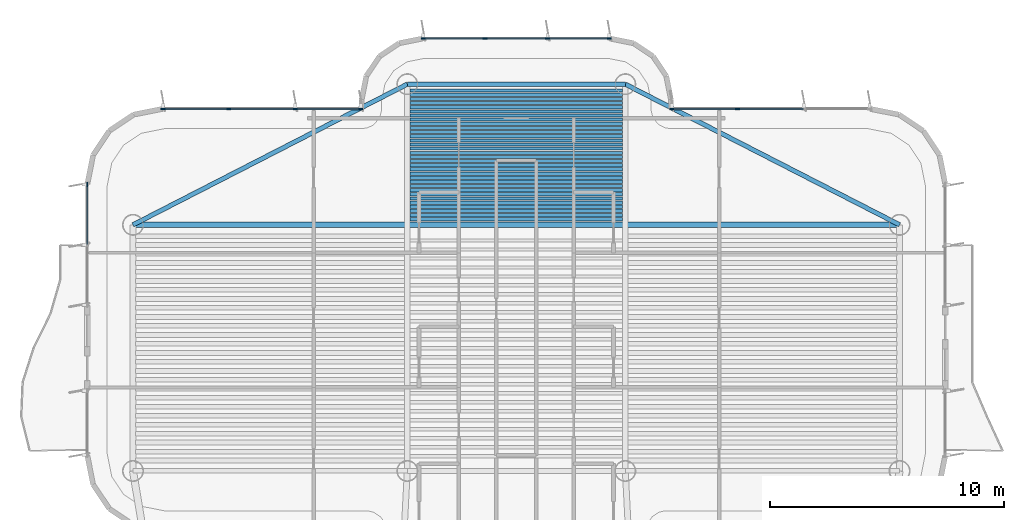
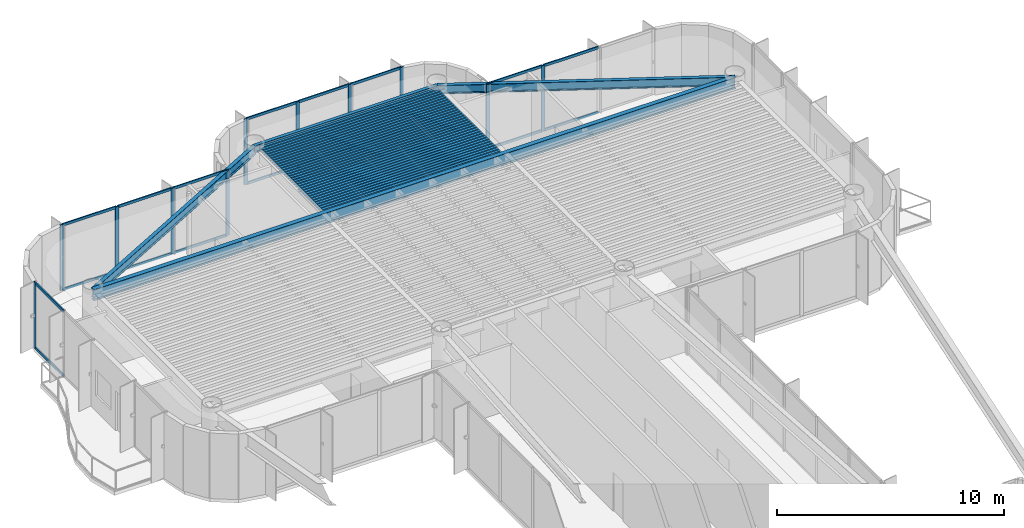
# One storey, part 7 of 16: 36 beams, 29 members, 4 elements without a shape of their own.
"""IFC4 building model written with IfcOpenShell, lengths in metres."""

from ifc_helpers import new_model, si_unit, direction, frame, origin, origin_2d, place, context, subcontext, project, spatial, rectangle, i_section, extrude, source, transform, mapped, material, layer, layer_set, material_profile, profile_set, type_object, element, aggregate, save


model = new_model("IFC4")

# Units and contexts
model_context = context("Model", 3, precision=1e-05, world=origin(), true_north=direction((0.0, 1.0)))
body_context = subcontext(model_context, "Body", "Model", "MODEL_VIEW")
ifc_project = project(units=[si_unit("LENGTHUNIT", "METRE"), si_unit("AREAUNIT", "SQUARE_METRE"), si_unit("VOLUMEUNIT", "CUBIC_METRE"), si_unit("PLANEANGLEUNIT", "RADIAN"), si_unit("MASSUNIT", "GRAM", prefix="KILO")], contexts=[model_context])

# Site, building, storey
site_placement = place(None, origin())
site = spatial("IfcSite", under=ifc_project, at=site_placement, CompositionType="ELEMENT")
building_placement = place(site_placement, origin())
building = spatial("IfcBuilding", under=site, at=building_placement, Name="Brelvock Crest Care Tower", CompositionType="ELEMENT")
storey_placement = place(building_placement, frame((0.0, 0.0, 238.139892578125)))
storey = spatial("IfcBuildingStorey", under=building, at=storey_placement, Name="L60", CompositionType="ELEMENT", Elevation=238.139892578125)

# Beams
ifc_material_1 = material(Name="Steel Grade 350", Category="steel")
ifc_material_profile_1 = material_profile(ifc_material_1, i_section(OverallWidth=0.177978515625, OverallDepth=0.406005859375, WebThickness=0.0078125, FlangeThickness=0.0126953125, FilletRadius=0.011474609375, at=origin_2d()), Name="410UB59.7")
ifc_profile_set_1 = profile_set([ifc_material_profile_1], Name="Steel Grade 350")
beam_type_1 = type_object("IfcBeamType", Name="BM-SP1", PredefinedType="SPANDREL", material=ifc_profile_set_1)
shared_shape_1 = source(origin(), body_context, "Body", "SweptSolid", [
    extrude(i_section(OverallWidth=0.177978515625, OverallDepth=0.406005859375, WebThickness=0.0078125, FlangeThickness=0.0126953125, FilletRadius=0.011474609375, at=origin_2d()), origin(), (0.0, 0.0, 1.0), 9.2998046875),
])
beam_1_placement = place(storey_placement, frame((31.35009765625, 60.449951171875, 3.3271484375), z_axis=(1.0, 0.0, 0.0), x_axis=(0.0, 1.0, 0.0)))
element("IfcBeam", 1, at=beam_1_placement, inside=storey, type_object=beam_type_1, Name="BM-TWR-L60-08", PredefinedType="SPANDREL", context=body_context, shape_type="MappedRepresentation", body=[
    mapped(shared_shape_1, transform((0.0, 0.0, 0.0), x_axis=(1.0, 0.0, 0.0), y_axis=(0.0, 1.0, 0.0), z_axis=(0.0, 0.0, 1.0), scale=1.0)),
])
ifc_material_profile_2 = material_profile(ifc_material_1, i_section(OverallWidth=0.14599609375, OverallDepth=0.256103515625, WebThickness=0.00634765625, FlangeThickness=0.010986328125, FilletRadius=0.0087890625, at=origin_2d()), Name="250UB37.3")
ifc_profile_set_2 = profile_set([ifc_material_profile_2], Name="Steel Grade 350")
beam_type_2 = type_object("IfcBeamType", Name="BM-J3", PredefinedType="JOIST", material=ifc_profile_set_2)
shared_shape_2 = source(origin(), body_context, "Body", "SweptSolid", [
    extrude(i_section(OverallWidth=0.14599609375, OverallDepth=0.256103515625, WebThickness=0.00634765625, FlangeThickness=0.010986328125, FilletRadius=0.0087890625, at=origin_2d()), origin(), (0.0, 0.0, 1.0), 9.06982421875),
])
for number, where, z_axis, x_axis, name in (
    (2, (31.465087890625, 54.68994140625, 3.402099609375), (1.0, 0.0, 0.0), (0.0, 1.0, 0.0), "BM-JN-L60-1"),
    (3, (31.465087890625, 54.866943359375, 3.402099609375), (1.0, 0.0, 0.0), (0.0, 1.0, 0.0), "BM-JN-L60-2"),
    (4, (31.465087890625, 55.0439453125, 3.402099609375), (1.0, 0.0, 0.0), (0.0, 1.0, 0.0), "BM-JN-L60-3"),
    (5, (31.465087890625, 55.220947265625, 3.402099609375), (1.0, 0.0, 0.0), (0.0, 1.0, 0.0), "BM-JN-L60-4"),
    (6, (31.465087890625, 55.39794921875, 3.402099609375), (1.0, 0.0, 0.0), (0.0, 1.0, 0.0), "BM-JN-L60-5"),
    (7, (31.465087890625, 55.574951171875, 3.402099609375), (1.0, 0.0, 0.0), (0.0, 1.0, 0.0), "BM-JN-L60-6"),
    (8, (31.465087890625, 55.751953125, 3.402099609375), (1.0, 0.0, 0.0), (0.0, 1.0, 0.0), "BM-JN-L60-7"),
    (9, (31.465087890625, 55.928955078125, 3.402099609375), (1.0, 0.0, 0.0), (0.0, 1.0, 0.0), "BM-JN-L60-8"),
    (10, (31.465087890625, 56.10595703125, 3.402099609375), (1.0, 0.0, 0.0), (0.0, 1.0, 0.0), "BM-JN-L60-9"),
    (11, (31.465087890625, 56.282958984375, 3.402099609375), (1.0, 0.0, 0.0), (0.0, 1.0, 0.0), "BM-JN-L60-10"),
    (12, (31.465087890625, 56.4599609375, 3.402099609375), (1.0, 0.0, 0.0), (0.0, 1.0, 0.0), "BM-JN-L60-11"),
    (13, (31.465087890625, 56.636962890625, 3.402099609375), (1.0, 0.0, 0.0), (0.0, 1.0, 0.0), "BM-JN-L60-12"),
    (14, (31.465087890625, 56.81396484375, 3.402099609375), (1.0, 0.0, 0.0), (0.0, 1.0, 0.0), "BM-JN-L60-13"),
):
    element("IfcBeam", number, at=place(storey_placement, frame(where, z_axis=z_axis, x_axis=x_axis)), inside=storey, type_object=beam_type_2, Name=name, PredefinedType="JOIST", context=body_context, shape_type="MappedRepresentation", body=[
        mapped(shared_shape_2, transform((0.0, 0.0, 0.0), x_axis=(1.0, 0.0, 0.0), y_axis=(0.0, 1.0, 0.0), z_axis=(0.0, 0.0, 1.0), scale=1.0)),
    ])
ifc_material_profile_3 = material_profile(ifc_material_1, i_section(OverallWidth=0.134033203125, OverallDepth=0.20703125, WebThickness=0.00634765625, FlangeThickness=0.009521484375, FilletRadius=0.0087890625, at=origin_2d()), Name="200UB29.8")
ifc_profile_set_3 = profile_set([ifc_material_profile_3], Name="Steel Grade 350")
beam_type_3 = type_object("IfcBeamType", Name="BM-J4", PredefinedType="JOIST", material=ifc_profile_set_3)
shared_shape_3 = source(origin(), body_context, "Body", "SweptSolid", [
    extrude(i_section(OverallWidth=0.134033203125, OverallDepth=0.20703125, WebThickness=0.00634765625, FlangeThickness=0.009521484375, FilletRadius=0.0087890625, at=origin_2d()), origin(), (0.0, 0.0, 1.0), 9.06982421875),
])
for number, where, z_axis, x_axis, name in (
    (15, (31.465087890625, 56.990966796875, 3.426513671875), (1.0, 0.0, 0.0), (0.0, 1.0, 0.0), "BM-JN-L60-14"),
    (16, (31.465087890625, 57.16796875, 3.426513671875), (1.0, 0.0, 0.0), (0.0, 1.0, 0.0), "BM-JN-L60-15"),
    (17, (31.465087890625, 57.344970703125, 3.426513671875), (1.0, 0.0, 0.0), (0.0, 1.0, 0.0), "BM-JN-L60-16"),
    (18, (31.465087890625, 57.52197265625, 3.426513671875), (1.0, 0.0, 0.0), (0.0, 1.0, 0.0), "BM-JN-L60-17"),
    (19, (31.465087890625, 57.698974609375, 3.426513671875), (1.0, 0.0, 0.0), (0.0, 1.0, 0.0), "BM-JN-L60-18"),
    (20, (31.465087890625, 57.8759765625, 3.426513671875), (1.0, 0.0, 0.0), (0.0, 1.0, 0.0), "BM-JN-L60-19"),
    (21, (31.465087890625, 58.052978515625, 3.426513671875), (1.0, 0.0, 0.0), (0.0, 1.0, 0.0), "BM-JN-L60-20"),
    (22, (31.465087890625, 58.22998046875, 3.426513671875), (1.0, 0.0, 0.0), (0.0, 1.0, 0.0), "BM-JN-L60-21"),
    (23, (31.465087890625, 58.406982421875, 3.426513671875), (1.0, 0.0, 0.0), (0.0, 1.0, 0.0), "BM-JN-L60-22"),
    (24, (31.465087890625, 58.583984375, 3.426513671875), (1.0, 0.0, 0.0), (0.0, 1.0, 0.0), "BM-JN-L60-23"),
    (25, (31.465087890625, 58.760986328125, 3.426513671875), (1.0, 0.0, 0.0), (0.0, 1.0, 0.0), "BM-JN-L60-24"),
    (26, (31.465087890625, 58.93798828125, 3.426513671875), (1.0, 0.0, 0.0), (0.0, 1.0, 0.0), "BM-JN-L60-25"),
    (27, (31.465087890625, 59.114990234375, 3.426513671875), (1.0, 0.0, 0.0), (0.0, 1.0, 0.0), "BM-JN-L60-26"),
    (28, (31.465087890625, 59.2919921875, 3.426513671875), (1.0, 0.0, 0.0), (0.0, 1.0, 0.0), "BM-JN-L60-27"),
    (29, (31.465087890625, 59.468994140625, 3.426513671875), (1.0, 0.0, 0.0), (0.0, 1.0, 0.0), "BM-JN-L60-28"),
    (30, (31.465087890625, 59.64599609375, 3.426513671875), (1.0, 0.0, 0.0), (0.0, 1.0, 0.0), "BM-JN-L60-29"),
    (31, (31.465087890625, 59.822998046875, 3.426513671875), (1.0, 0.0, 0.0), (0.0, 1.0, 0.0), "BM-JN-L60-30"),
    (32, (31.465087890625, 60.0, 3.426513671875), (1.0, 0.0, 0.0), (0.0, 1.0, 0.0), "BM-JN-L60-31"),
    (33, (31.465087890625, 60.177001953125, 3.426513671875), (1.0, 0.0, 0.0), (0.0, 1.0, 0.0), "BM-JN-L60-32"),
):
    element("IfcBeam", number, at=place(storey_placement, frame(where, z_axis=z_axis, x_axis=x_axis)), inside=storey, type_object=beam_type_3, Name=name, PredefinedType="JOIST", context=body_context, shape_type="MappedRepresentation", body=[
        mapped(shared_shape_3, transform((0.0, 0.0, 0.0), x_axis=(1.0, 0.0, 0.0), y_axis=(0.0, 1.0, 0.0), z_axis=(0.0, 0.0, 1.0), scale=1.0)),
    ])
ifc_material_profile_4 = material_profile(ifc_material_1, i_section(OverallWidth=0.19091796875, OverallDepth=0.4599609375, WebThickness=0.010009765625, FlangeThickness=0.01611328125, FilletRadius=0.011474609375, at=origin_2d()), Name="460UB82.1")
ifc_profile_set_4 = profile_set([ifc_material_profile_4], Name="Steel Grade 350")
beam_type_4 = type_object("IfcBeamType", Name="BM-SP2", PredefinedType="SPANDREL", material=ifc_profile_set_4)
shared_shape_4 = source(origin(), body_context, "Body", "SweptSolid", [
    extrude(i_section(OverallWidth=0.19091796875, OverallDepth=0.4599609375, WebThickness=0.010009765625, FlangeThickness=0.01611328125, FilletRadius=0.011474609375, at=origin_2d()), origin(), (0.0, 0.0, 1.0), 13.14892578125),
])
for number, where, z_axis, x_axis, name in (
    (34, (19.64990234375, 54.449951171875, 3.300048828125), (0.889820555736, 0.456310616346, 0.0), (-0.456310616346, 0.889820555736, 0.0), "BM-TWR-L60-06"),
    (35, (40.64990234375, 60.449951171875, 3.300048828125), (0.889820555736, -0.456310616346, 0.0), (0.456310616346, 0.889820555736, 0.0), "BM-TWR-L60-07"),
):
    element("IfcBeam", number, at=place(storey_placement, frame(where, z_axis=z_axis, x_axis=x_axis)), inside=storey, type_object=beam_type_4, Name=name, PredefinedType="SPANDREL", context=body_context, shape_type="MappedRepresentation", body=[
        mapped(shared_shape_4, transform((0.0, 0.0, 0.0), x_axis=(1.0, 0.0, 0.0), y_axis=(0.0, 1.0, 0.0), z_axis=(0.0, 0.0, 1.0), scale=1.0)),
    ])
ifc_material_profile_5 = material_profile(ifc_material_1, i_section(OverallWidth=0.22900390625, OverallDepth=0.612060546875, WebThickness=0.011962890625, FlangeThickness=0.01953125, FilletRadius=0.013916015625, at=origin_2d()), Name="610UB125")
ifc_profile_set_5 = profile_set([ifc_material_profile_5], Name="Steel Grade 350")
beam_type_5 = type_object("IfcBeamType", Name="BM-G1", PredefinedType="BEAM", material=ifc_profile_set_5)
shared_shape_5 = source(origin(), body_context, "Body", "SweptSolid", [
    extrude(i_section(OverallWidth=0.22900390625, OverallDepth=0.612060546875, WebThickness=0.011962890625, FlangeThickness=0.01953125, FilletRadius=0.013916015625, at=origin_2d()), origin(), (0.0, 0.0, 1.0), 32.7001953125),
])
beam_2_placement = place(storey_placement, frame((19.64990234375, 54.449951171875, 3.22412109375), z_axis=(1.0, 0.0, 0.0), x_axis=(0.0, 1.0, 0.0)))
element("IfcBeam", 36, at=beam_2_placement, inside=storey, type_object=beam_type_5, Name="BM-TWR-L60-11", PredefinedType="BEAM", context=body_context, shape_type="MappedRepresentation", body=[
    mapped(shared_shape_5, transform((0.0, 0.0, 0.0), x_axis=(1.0, 0.0, 0.0), y_axis=(0.0, 1.0, 0.0), z_axis=(0.0, 0.0, 1.0), scale=1.0)),
])

# Curtain wall, member
ifc_material_2 = material(Name="Dark Glass Double Glazed Low-E", Category="glass")
ifc_layer = layer(ifc_material_2, 0.239990234375, Name="CWS-5")
ifc_layer_set = layer_set([ifc_layer], Name="Dark Glass Double Glazed Low-E")
curtain_wall_type = type_object("IfcCurtainWallType", Name="CWS-5", PredefinedType="NOTDEFINED", material=ifc_layer_set)
curtain_wall_1_placement = place(storey_placement, origin())
curtain_wall_1 = element("IfcCurtainWall", 37, at=curtain_wall_1_placement, inside=storey, type_object=curtain_wall_type, Name="L60 Curtain Wall E17B", PredefinedType="NOTDEFINED")
ifc_material_3 = material(Name="Aluminium 6063-T6", Category="aluminium")
ifc_material_profile_6 = material_profile(ifc_material_3, rectangle(XDim=0.06005859375, YDim=0.179931640625, at=origin_2d()), Name="ALU60x180")
ifc_profile_set_6 = profile_set([ifc_material_profile_6], Name="Aluminium 6063-T6")
member_type_1 = type_object("IfcMemberType", Name="CWM-2", PredefinedType="MULLION", material=ifc_profile_set_6)
shared_shape_6 = source(origin(), body_context, "Body", "SweptSolid", [
    extrude(rectangle(XDim=0.06005859375, YDim=0.179931640625, at=origin_2d()), origin(), (0.0, 0.0, 1.0), 3.530029296875),
])
member_1_placement = place(storey_placement, frame((17.699951171875, 56.169921875, 0.0), z_axis=(0.0, 0.0, 1.0), x_axis=(-1.0, 0.0, 0.0)))
member_1 = element("IfcMember", 38, at=member_1_placement, type_object=member_type_1, Name="CW-5 mullion 3", PredefinedType="MULLION", context=body_context, shape_type="MappedRepresentation", body=[
    mapped(shared_shape_6, transform((0.0, 0.0, 0.0), x_axis=(1.0, 0.0, 0.0), y_axis=(0.0, 1.0, 0.0), z_axis=(0.0, 0.0, 1.0), scale=1.0)),
])

# Curtain wall, members
curtain_wall_2_placement = place(storey_placement, origin())
curtain_wall_2 = element("IfcCurtainWall", 39, at=curtain_wall_2_placement, inside=storey, type_object=curtain_wall_type, Name="L60 Curtain Wall E22", PredefinedType="NOTDEFINED")
member_2_placement = place(storey_placement, frame((20.929931640625, 59.39990234375, 0.0), z_axis=(0.0, 0.0, 1.0), x_axis=(0.0, 1.0, 0.0)))
member_2 = element("IfcMember", 40, at=member_2_placement, type_object=member_type_1, Name="CW-5 mullion 1", PredefinedType="MULLION", context=body_context, shape_type="MappedRepresentation", body=[
    mapped(shared_shape_6, transform((0.0, 0.0, 0.0), x_axis=(1.0, 0.0, 0.0), y_axis=(0.0, 1.0, 0.0), z_axis=(0.0, 0.0, 1.0), scale=1.0)),
])
member_3_placement = place(storey_placement, frame((23.7333984375, 59.39990234375, 0.0), z_axis=(0.0, 0.0, 1.0), x_axis=(0.0, 1.0, 0.0)))
member_3 = element("IfcMember", 41, at=member_3_placement, type_object=member_type_1, Name="CW-5 mullion 2", PredefinedType="MULLION", context=body_context, shape_type="MappedRepresentation", body=[
    mapped(shared_shape_6, transform((0.0, 0.0, 0.0), x_axis=(1.0, 0.0, 0.0), y_axis=(0.0, 1.0, 0.0), z_axis=(0.0, 0.0, 1.0), scale=1.0)),
])
member_4_placement = place(storey_placement, frame((26.566650390625, 59.39990234375, 0.0), z_axis=(0.0, 0.0, 1.0), x_axis=(0.0, 1.0, 0.0)))
member_4 = element("IfcMember", 42, at=member_4_placement, type_object=member_type_1, Name="CW-5 mullion 3", PredefinedType="MULLION", context=body_context, shape_type="MappedRepresentation", body=[
    mapped(shared_shape_6, transform((0.0, 0.0, 0.0), x_axis=(1.0, 0.0, 0.0), y_axis=(0.0, 1.0, 0.0), z_axis=(0.0, 0.0, 1.0), scale=1.0)),
])
member_5_placement = place(storey_placement, frame((29.3701171875, 59.39990234375, 0.0), z_axis=(0.0, 0.0, 1.0), x_axis=(0.0, 1.0, 0.0)))
member_5 = element("IfcMember", 43, at=member_5_placement, type_object=member_type_1, Name="CW-5 mullion 4", PredefinedType="MULLION", context=body_context, shape_type="MappedRepresentation", body=[
    mapped(shared_shape_6, transform((0.0, 0.0, 0.0), x_axis=(1.0, 0.0, 0.0), y_axis=(0.0, 1.0, 0.0), z_axis=(0.0, 0.0, 1.0), scale=1.0)),
])

curtain_wall_3_placement = place(storey_placement, origin())
curtain_wall_3 = element("IfcCurtainWall", 44, at=curtain_wall_3_placement, inside=storey, type_object=curtain_wall_type, Name="L60 Curtain Wall E28", PredefinedType="NOTDEFINED")
member_6_placement = place(storey_placement, frame((32.030029296875, 62.39990234375, 0.0), z_axis=(0.0, 0.0, 1.0), x_axis=(0.0, 1.0, 0.0)))
member_6 = element("IfcMember", 45, at=member_6_placement, type_object=member_type_1, Name="CW-5 mullion 1", PredefinedType="MULLION", context=body_context, shape_type="MappedRepresentation", body=[
    mapped(shared_shape_6, transform((0.0, 0.0, 0.0), x_axis=(1.0, 0.0, 0.0), y_axis=(0.0, 1.0, 0.0), z_axis=(0.0, 0.0, 1.0), scale=1.0)),
])
member_7_placement = place(storey_placement, frame((34.666748046875, 62.39990234375, 0.0), z_axis=(0.0, 0.0, 1.0), x_axis=(0.0, 1.0, 0.0)))
member_7 = element("IfcMember", 46, at=member_7_placement, type_object=member_type_1, Name="CW-5 mullion 2", PredefinedType="MULLION", context=body_context, shape_type="MappedRepresentation", body=[
    mapped(shared_shape_6, transform((0.0, 0.0, 0.0), x_axis=(1.0, 0.0, 0.0), y_axis=(0.0, 1.0, 0.0), z_axis=(0.0, 0.0, 1.0), scale=1.0)),
])
member_8_placement = place(storey_placement, frame((37.333251953125, 62.39990234375, 0.0), z_axis=(0.0, 0.0, 1.0), x_axis=(0.0, 1.0, 0.0)))
member_8 = element("IfcMember", 47, at=member_8_placement, type_object=member_type_1, Name="CW-5 mullion 3", PredefinedType="MULLION", context=body_context, shape_type="MappedRepresentation", body=[
    mapped(shared_shape_6, transform((0.0, 0.0, 0.0), x_axis=(1.0, 0.0, 0.0), y_axis=(0.0, 1.0, 0.0), z_axis=(0.0, 0.0, 1.0), scale=1.0)),
])
member_9_placement = place(storey_placement, frame((39.969970703125, 62.39990234375, 0.0), z_axis=(0.0, 0.0, 1.0), x_axis=(0.0, 1.0, 0.0)))
member_9 = element("IfcMember", 48, at=member_9_placement, type_object=member_type_1, Name="CW-5 mullion 4", PredefinedType="MULLION", context=body_context, shape_type="MappedRepresentation", body=[
    mapped(shared_shape_6, transform((0.0, 0.0, 0.0), x_axis=(1.0, 0.0, 0.0), y_axis=(0.0, 1.0, 0.0), z_axis=(0.0, 0.0, 1.0), scale=1.0)),
])

curtain_wall_4_placement = place(storey_placement, origin())
curtain_wall_4 = element("IfcCurtainWall", 49, at=curtain_wall_4_placement, inside=storey, type_object=curtain_wall_type, Name="L60 Curtain Wall E34", PredefinedType="NOTDEFINED")
member_10_placement = place(storey_placement, frame((42.6298828125, 59.39990234375, 0.0), z_axis=(0.0, 0.0, 1.0), x_axis=(0.0, 1.0, 0.0)))
member_10 = element("IfcMember", 50, at=member_10_placement, type_object=member_type_1, Name="CW-5 mullion 1", PredefinedType="MULLION", context=body_context, shape_type="MappedRepresentation", body=[
    mapped(shared_shape_6, transform((0.0, 0.0, 0.0), x_axis=(1.0, 0.0, 0.0), y_axis=(0.0, 1.0, 0.0), z_axis=(0.0, 0.0, 1.0), scale=1.0)),
])
member_11_placement = place(storey_placement, frame((45.433349609375, 59.39990234375, 0.0), z_axis=(0.0, 0.0, 1.0), x_axis=(0.0, 1.0, 0.0)))
member_11 = element("IfcMember", 51, at=member_11_placement, type_object=member_type_1, Name="CW-5 mullion 2", PredefinedType="MULLION", context=body_context, shape_type="MappedRepresentation", body=[
    mapped(shared_shape_6, transform((0.0, 0.0, 0.0), x_axis=(1.0, 0.0, 0.0), y_axis=(0.0, 1.0, 0.0), z_axis=(0.0, 0.0, 1.0), scale=1.0)),
])

# Member
ifc_material_profile_7 = material_profile(ifc_material_3, rectangle(XDim=0.06005859375, YDim=0.139892578125, at=origin_2d()), Name="ALU60x140")
ifc_profile_set_7 = profile_set([ifc_material_profile_7], Name="Aluminium 6063-T6")
member_type_2 = type_object("IfcMemberType", Name="CWT-2", PredefinedType="USERDEFINED", material=ifc_profile_set_7)
shared_shape_7 = source(origin(), body_context, "Body", "SweptSolid", [
    extrude(rectangle(XDim=0.06005859375, YDim=0.139892578125, at=origin_2d()), origin(), (0.0, 0.0, 1.0), 2.57666015625),
])
member_12_placement = place(storey_placement, frame((32.06005859375, 62.39990234375, 0.030029296875), z_axis=(1.0, 0.0, 0.0), x_axis=(0.0, 1.0, 0.0)))
member_12 = element("IfcMember", 52, at=member_12_placement, type_object=member_type_2, Name="CW-5 transom 1.1", ObjectType="TRANSOM", PredefinedType="USERDEFINED", context=body_context, shape_type="MappedRepresentation", body=[
    mapped(shared_shape_7, transform((0.0, 0.0, 0.0), x_axis=(1.0, 0.0, 0.0), y_axis=(0.0, 1.0, 0.0), z_axis=(0.0, 0.0, 1.0), scale=1.0)),
])

member_13_placement = place(storey_placement, frame((32.06005859375, 62.39990234375, 3.5), z_axis=(1.0, 0.0, 0.0), x_axis=(0.0, 1.0, 0.0)))
member_13 = element("IfcMember", 53, at=member_13_placement, type_object=member_type_2, Name="CW-5 transom 1.2", ObjectType="TRANSOM", PredefinedType="USERDEFINED", context=body_context, shape_type="MappedRepresentation", body=[
    mapped(shared_shape_7, transform((0.0, 0.0, 0.0), x_axis=(1.0, 0.0, 0.0), y_axis=(0.0, 1.0, 0.0), z_axis=(0.0, 0.0, 1.0), scale=1.0)),
])

member_14_placement = place(storey_placement, frame((37.36328125, 62.39990234375, 0.030029296875), z_axis=(1.0, 0.0, 0.0), x_axis=(0.0, 1.0, 0.0)))
member_14 = element("IfcMember", 54, at=member_14_placement, type_object=member_type_2, Name="CW-5 transom 3.1", ObjectType="TRANSOM", PredefinedType="USERDEFINED", context=body_context, shape_type="MappedRepresentation", body=[
    mapped(shared_shape_7, transform((0.0, 0.0, 0.0), x_axis=(1.0, 0.0, 0.0), y_axis=(0.0, 1.0, 0.0), z_axis=(0.0, 0.0, 1.0), scale=1.0)),
])

member_15_placement = place(storey_placement, frame((37.36328125, 62.39990234375, 3.5), z_axis=(1.0, 0.0, 0.0), x_axis=(0.0, 1.0, 0.0)))
member_15 = element("IfcMember", 55, at=member_15_placement, type_object=member_type_2, Name="CW-5 transom 3.2", ObjectType="TRANSOM", PredefinedType="USERDEFINED", context=body_context, shape_type="MappedRepresentation", body=[
    mapped(shared_shape_7, transform((0.0, 0.0, 0.0), x_axis=(1.0, 0.0, 0.0), y_axis=(0.0, 1.0, 0.0), z_axis=(0.0, 0.0, 1.0), scale=1.0)),
])

shared_shape_8 = source(origin(), body_context, "Body", "SweptSolid", [
    extrude(rectangle(XDim=0.06005859375, YDim=0.139892578125, at=origin_2d()), origin(), (0.0, 0.0, 1.0), 2.510009765625),
])
member_16_placement = place(storey_placement, frame((17.699951171875, 53.6298828125, 0.030029296875), z_axis=(0.0, 1.0, 0.0), x_axis=(-1.0, 0.0, 0.0)))
member_16 = element("IfcMember", 56, at=member_16_placement, type_object=member_type_2, Name="CW-5 transom 2.1", ObjectType="TRANSOM", PredefinedType="USERDEFINED", context=body_context, shape_type="MappedRepresentation", body=[
    mapped(shared_shape_8, transform((0.0, 0.0, 0.0), x_axis=(1.0, 0.0, 0.0), y_axis=(0.0, 1.0, 0.0), z_axis=(0.0, 0.0, 1.0), scale=1.0)),
])

member_17_placement = place(storey_placement, frame((17.699951171875, 53.6298828125, 3.5), z_axis=(0.0, 1.0, 0.0), x_axis=(-1.0, 0.0, 0.0)))
member_17 = element("IfcMember", 57, at=member_17_placement, type_object=member_type_2, Name="CW-5 transom 2.2", ObjectType="TRANSOM", PredefinedType="USERDEFINED", context=body_context, shape_type="MappedRepresentation", body=[
    mapped(shared_shape_8, transform((0.0, 0.0, 0.0), x_axis=(1.0, 0.0, 0.0), y_axis=(0.0, 1.0, 0.0), z_axis=(0.0, 0.0, 1.0), scale=1.0)),
])

aggregate(curtain_wall_1, [member_1, member_16, member_17])

shared_shape_9 = source(origin(), body_context, "Body", "SweptSolid", [
    extrude(rectangle(XDim=0.06005859375, YDim=0.139892578125, at=origin_2d()), origin(), (0.0, 0.0, 1.0), 2.743408203125),
])
member_18_placement = place(storey_placement, frame((20.9599609375, 59.39990234375, 0.030029296875), z_axis=(1.0, 0.0, 0.0), x_axis=(0.0, 1.0, 0.0)))
member_18 = element("IfcMember", 58, at=member_18_placement, type_object=member_type_2, Name="CW-5 transom 1.1", ObjectType="TRANSOM", PredefinedType="USERDEFINED", context=body_context, shape_type="MappedRepresentation", body=[
    mapped(shared_shape_9, transform((0.0, 0.0, 0.0), x_axis=(1.0, 0.0, 0.0), y_axis=(0.0, 1.0, 0.0), z_axis=(0.0, 0.0, 1.0), scale=1.0)),
])

member_19_placement = place(storey_placement, frame((20.9599609375, 59.39990234375, 3.5), z_axis=(1.0, 0.0, 0.0), x_axis=(0.0, 1.0, 0.0)))
member_19 = element("IfcMember", 59, at=member_19_placement, type_object=member_type_2, Name="CW-5 transom 1.2", ObjectType="TRANSOM", PredefinedType="USERDEFINED", context=body_context, shape_type="MappedRepresentation", body=[
    mapped(shared_shape_9, transform((0.0, 0.0, 0.0), x_axis=(1.0, 0.0, 0.0), y_axis=(0.0, 1.0, 0.0), z_axis=(0.0, 0.0, 1.0), scale=1.0)),
])

member_20_placement = place(storey_placement, frame((26.5966796875, 59.39990234375, 0.030029296875), z_axis=(1.0, 0.0, 0.0), x_axis=(0.0, 1.0, 0.0)))
member_20 = element("IfcMember", 60, at=member_20_placement, type_object=member_type_2, Name="CW-5 transom 3.1", ObjectType="TRANSOM", PredefinedType="USERDEFINED", context=body_context, shape_type="MappedRepresentation", body=[
    mapped(shared_shape_9, transform((0.0, 0.0, 0.0), x_axis=(1.0, 0.0, 0.0), y_axis=(0.0, 1.0, 0.0), z_axis=(0.0, 0.0, 1.0), scale=1.0)),
])

member_21_placement = place(storey_placement, frame((26.5966796875, 59.39990234375, 3.5), z_axis=(1.0, 0.0, 0.0), x_axis=(0.0, 1.0, 0.0)))
member_21 = element("IfcMember", 61, at=member_21_placement, type_object=member_type_2, Name="CW-5 transom 3.2", ObjectType="TRANSOM", PredefinedType="USERDEFINED", context=body_context, shape_type="MappedRepresentation", body=[
    mapped(shared_shape_9, transform((0.0, 0.0, 0.0), x_axis=(1.0, 0.0, 0.0), y_axis=(0.0, 1.0, 0.0), z_axis=(0.0, 0.0, 1.0), scale=1.0)),
])

member_22_placement = place(storey_placement, frame((42.659912109375, 59.39990234375, 0.030029296875), z_axis=(1.0, 0.0, 0.0), x_axis=(0.0, 1.0, 0.0)))
member_22 = element("IfcMember", 62, at=member_22_placement, type_object=member_type_2, Name="CW-5 transom 1.1", ObjectType="TRANSOM", PredefinedType="USERDEFINED", context=body_context, shape_type="MappedRepresentation", body=[
    mapped(shared_shape_9, transform((0.0, 0.0, 0.0), x_axis=(1.0, 0.0, 0.0), y_axis=(0.0, 1.0, 0.0), z_axis=(0.0, 0.0, 1.0), scale=1.0)),
])

member_23_placement = place(storey_placement, frame((42.659912109375, 59.39990234375, 3.5), z_axis=(1.0, 0.0, 0.0), x_axis=(0.0, 1.0, 0.0)))
member_23 = element("IfcMember", 63, at=member_23_placement, type_object=member_type_2, Name="CW-5 transom 1.2", ObjectType="TRANSOM", PredefinedType="USERDEFINED", context=body_context, shape_type="MappedRepresentation", body=[
    mapped(shared_shape_9, transform((0.0, 0.0, 0.0), x_axis=(1.0, 0.0, 0.0), y_axis=(0.0, 1.0, 0.0), z_axis=(0.0, 0.0, 1.0), scale=1.0)),
])

shared_shape_10 = source(origin(), body_context, "Body", "SweptSolid", [
    extrude(rectangle(XDim=0.06005859375, YDim=0.139892578125, at=origin_2d()), origin(), (0.0, 0.0, 1.0), 2.773193359375),
])
member_24_placement = place(storey_placement, frame((23.763427734375, 59.39990234375, 0.030029296875), z_axis=(1.0, 0.0, 0.0), x_axis=(0.0, 1.0, 0.0)))
member_24 = element("IfcMember", 64, at=member_24_placement, type_object=member_type_2, Name="CW-5 transom 2.1", ObjectType="TRANSOM", PredefinedType="USERDEFINED", context=body_context, shape_type="MappedRepresentation", body=[
    mapped(shared_shape_10, transform((0.0, 0.0, 0.0), x_axis=(1.0, 0.0, 0.0), y_axis=(0.0, 1.0, 0.0), z_axis=(0.0, 0.0, 1.0), scale=1.0)),
])

member_25_placement = place(storey_placement, frame((23.763427734375, 59.39990234375, 3.5), z_axis=(1.0, 0.0, 0.0), x_axis=(0.0, 1.0, 0.0)))
member_25 = element("IfcMember", 65, at=member_25_placement, type_object=member_type_2, Name="CW-5 transom 2.2", ObjectType="TRANSOM", PredefinedType="USERDEFINED", context=body_context, shape_type="MappedRepresentation", body=[
    mapped(shared_shape_10, transform((0.0, 0.0, 0.0), x_axis=(1.0, 0.0, 0.0), y_axis=(0.0, 1.0, 0.0), z_axis=(0.0, 0.0, 1.0), scale=1.0)),
])

aggregate(curtain_wall_2, [member_2, member_3, member_4, member_5, member_18, member_19, member_24, member_25, member_20, member_21])

member_26_placement = place(storey_placement, frame((45.46337890625, 59.39990234375, 0.030029296875), z_axis=(1.0, 0.0, 0.0), x_axis=(0.0, 1.0, 0.0)))
member_26 = element("IfcMember", 66, at=member_26_placement, type_object=member_type_2, Name="CW-5 transom 2.1", ObjectType="TRANSOM", PredefinedType="USERDEFINED", context=body_context, shape_type="MappedRepresentation", body=[
    mapped(shared_shape_10, transform((0.0, 0.0, 0.0), x_axis=(1.0, 0.0, 0.0), y_axis=(0.0, 1.0, 0.0), z_axis=(0.0, 0.0, 1.0), scale=1.0)),
])

member_27_placement = place(storey_placement, frame((45.46337890625, 59.39990234375, 3.5), z_axis=(1.0, 0.0, 0.0), x_axis=(0.0, 1.0, 0.0)))
member_27 = element("IfcMember", 67, at=member_27_placement, type_object=member_type_2, Name="CW-5 transom 2.2", ObjectType="TRANSOM", PredefinedType="USERDEFINED", context=body_context, shape_type="MappedRepresentation", body=[
    mapped(shared_shape_10, transform((0.0, 0.0, 0.0), x_axis=(1.0, 0.0, 0.0), y_axis=(0.0, 1.0, 0.0), z_axis=(0.0, 0.0, 1.0), scale=1.0)),
])

aggregate(curtain_wall_4, [member_10, member_11, member_22, member_23, member_26, member_27])

shared_shape_11 = source(origin(), body_context, "Body", "SweptSolid", [
    extrude(rectangle(XDim=0.06005859375, YDim=0.139892578125, at=origin_2d()), origin(), (0.0, 0.0, 1.0), 2.6064453125),
])
member_28_placement = place(storey_placement, frame((34.69677734375, 62.39990234375, 0.030029296875), z_axis=(1.0, 0.0, 0.0), x_axis=(0.0, 1.0, 0.0)))
member_28 = element("IfcMember", 68, at=member_28_placement, type_object=member_type_2, Name="CW-5 transom 2.1", ObjectType="TRANSOM", PredefinedType="USERDEFINED", context=body_context, shape_type="MappedRepresentation", body=[
    mapped(shared_shape_11, transform((0.0, 0.0, 0.0), x_axis=(1.0, 0.0, 0.0), y_axis=(0.0, 1.0, 0.0), z_axis=(0.0, 0.0, 1.0), scale=1.0)),
])

member_29_placement = place(storey_placement, frame((34.69677734375, 62.39990234375, 3.5), z_axis=(1.0, 0.0, 0.0), x_axis=(0.0, 1.0, 0.0)))
member_29 = element("IfcMember", 69, at=member_29_placement, type_object=member_type_2, Name="CW-5 transom 2.2", ObjectType="TRANSOM", PredefinedType="USERDEFINED", context=body_context, shape_type="MappedRepresentation", body=[
    mapped(shared_shape_11, transform((0.0, 0.0, 0.0), x_axis=(1.0, 0.0, 0.0), y_axis=(0.0, 1.0, 0.0), z_axis=(0.0, 0.0, 1.0), scale=1.0)),
])

aggregate(curtain_wall_3, [member_6, member_7, member_8, member_9, member_12, member_13, member_28, member_29, member_14, member_15])

save(model, "model.ifc")
